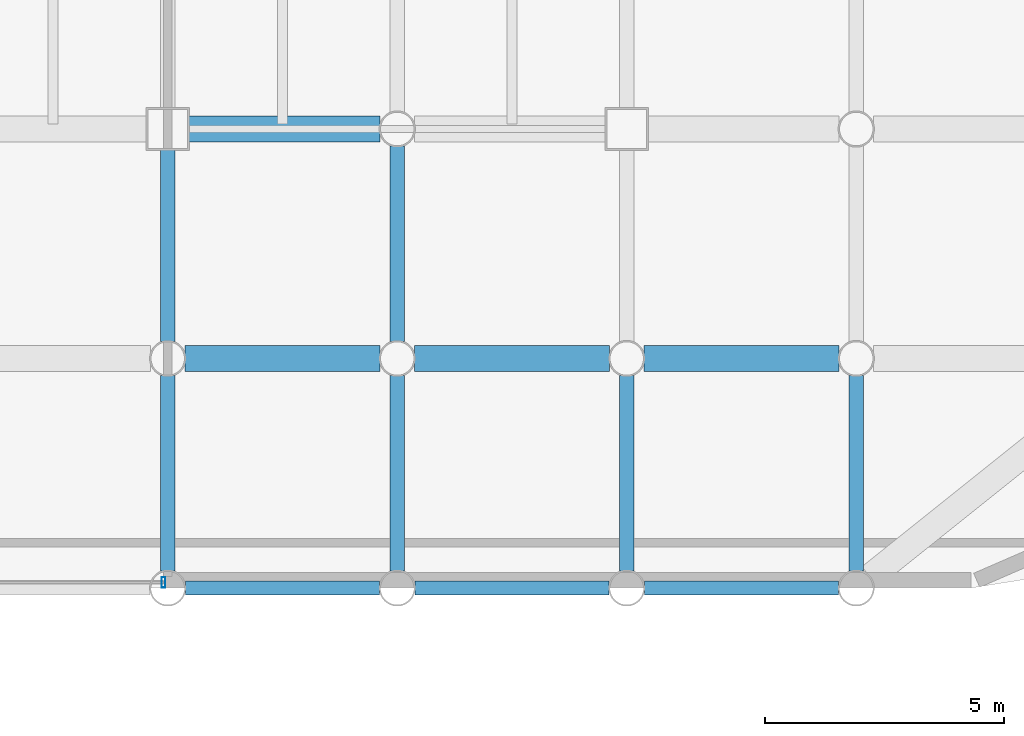
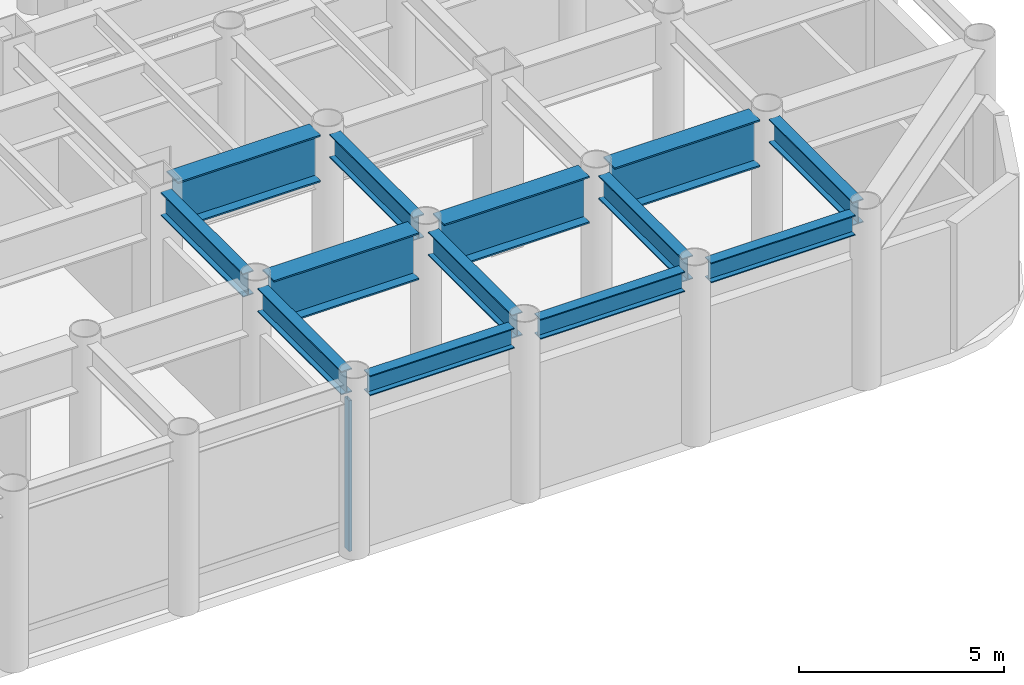
# One storey, part 6 of 17: 13 beams, 1 member, 1 element without a shape of its own.
"""IFC4 building model written with IfcOpenShell, lengths in metres."""

from ifc_helpers import new_model, si_unit, direction, frame, origin, origin_2d, place, context, subcontext, project, spatial, hollow_rectangle, i_section, extrude, material, layer, layer_set, material_profile, profile_set, type_object, element, aggregate, save


model = new_model("IFC4")

# Units and contexts
model_context = context("Model", 3, precision=1e-05, world=origin(), true_north=direction((0.0, 1.0)))
body_context = subcontext(model_context, "Body", "Model", "MODEL_VIEW")
ifc_project = project(units=[si_unit("LENGTHUNIT", "METRE"), si_unit("AREAUNIT", "SQUARE_METRE"), si_unit("VOLUMEUNIT", "CUBIC_METRE"), si_unit("PLANEANGLEUNIT", "RADIAN"), si_unit("MASSUNIT", "GRAM", prefix="KILO")], contexts=[model_context])

# Site, building, storey
site_placement = place(None, origin())
site = spatial("IfcSite", under=ifc_project, at=site_placement, CompositionType="ELEMENT")
building_placement = place(site_placement, origin())
building = spatial("IfcBuilding", under=site, at=building_placement, Name="Kallvorn Hotel Tower", CompositionType="ELEMENT")
storey_placement = place(building_placement, frame((0.0, 0.0, 19.199951171875)))
storey = spatial("IfcBuildingStorey", under=building, at=storey_placement, Name="L03", CompositionType="ELEMENT", Elevation=19.199951171875)

# Beams
ifc_material_1 = material(Name="Structural steel S355JR", Category="steel")
ifc_material_profile_1 = material_profile(ifc_material_1, i_section(OverallWidth=0.300048828125, OverallDepth=0.60009765625, WebThickness=0.015380859375, FlangeThickness=0.030029296875, at=origin_2d()), Name="HE 600 B")
ifc_profile_set_1 = profile_set([ifc_material_profile_1], Name="Structural steel S355JR")
beam_type_1 = type_object("IfcBeamType", Name="BM_HE600B", PredefinedType="SPANDREL", material=ifc_profile_set_1)
beam_1_placement = place(storey_placement, frame((14.77099609375, -24.0, 4.880126953125), z_axis=(1.0, 0.0, 0.0), x_axis=(0.0, 1.0, 0.0)))
element("IfcBeam", 1, at=beam_1_placement, inside=storey, type_object=beam_type_1, Name="L04 Perimeter Spandrel 181", PredefinedType="SPANDREL", context=body_context, shape_type="SweptSolid", body=[
    extrude(i_section(OverallWidth=0.300048828125, OverallDepth=0.60009765625, WebThickness=0.015380859375, FlangeThickness=0.030029296875, at=origin_2d()), origin(), (0.0, 0.0, 1.0), 4.05810546875),
])
for number, where, z_axis, x_axis, name in (
    (2, (19.571044921875, -24.0, 4.880126953125), (1.0, 0.0, 0.0), (0.0, 1.0, 0.0), "L04 Perimeter Spandrel 182"),
    (3, (24.37109375, -24.0, 4.880126953125), (1.0, 0.0, 0.0), (0.0, 1.0, 0.0), "L04 Perimeter Spandrel 183"),
):
    element("IfcBeam", number, at=place(storey_placement, frame(where, z_axis=z_axis, x_axis=x_axis)), inside=storey, type_object=beam_type_1, Name=name, PredefinedType="SPANDREL", context=body_context, shape_type="SweptSolid", body=[
        extrude(i_section(OverallWidth=0.300048828125, OverallDepth=0.60009765625, WebThickness=0.015380859375, FlangeThickness=0.030029296875, at=origin_2d()), origin(), (0.0, 0.0, 1.0), 4.057861328125),
    ])
ifc_material_2 = material(Name="Structural steel S355JR", Category="steel")
ifc_material_profile_2 = material_profile(ifc_material_2, i_section(OverallWidth=0.300048828125, OverallDepth=0.699951171875, WebThickness=0.01708984375, FlangeThickness=0.031982421875, at=origin_2d()), Name="HE 700 B")
ifc_profile_set_2 = profile_set([ifc_material_profile_2], Name="Structural steel S355JR")
beam_type_2 = type_object("IfcBeamType", Name="BM_HE700B", PredefinedType="BEAM", material=ifc_profile_set_2)
beam_2_placement = place(storey_placement, frame((14.39990234375, -23.64404296875, 4.830078125), z_axis=(0.0, 1.0, 0.0), x_axis=(-1.0, 0.0, 0.0)))
element("IfcBeam", 4, at=beam_2_placement, inside=storey, type_object=beam_type_2, Name="L04 Primary Y-Girder 138", PredefinedType="BEAM", context=body_context, shape_type="SweptSolid", body=[
    extrude(i_section(OverallWidth=0.300048828125, OverallDepth=0.699951171875, WebThickness=0.01708984375, FlangeThickness=0.031982421875, at=origin_2d()), origin(), (0.0, 0.0, 1.0), 4.088134765625),
])
beam_3_placement = place(storey_placement, frame((14.39990234375, -18.843994140625, 4.830078125), z_axis=(0.0, 1.0, 0.0), x_axis=(-1.0, 0.0, 0.0)))
element("IfcBeam", 5, at=beam_3_placement, inside=storey, type_object=beam_type_2, Name="L04 Primary Y-Girder 139", PredefinedType="BEAM", context=body_context, shape_type="SweptSolid", body=[
    extrude(i_section(OverallWidth=0.300048828125, OverallDepth=0.699951171875, WebThickness=0.01708984375, FlangeThickness=0.031982421875, at=origin_2d()), origin(), (0.0, 0.0, 1.0), 4.01904296875),
])
beam_4_placement = place(storey_placement, frame((19.199951171875, -23.64404296875, 4.830078125), z_axis=(0.0, 1.0, 0.0), x_axis=(-1.0, 0.0, 0.0)))
element("IfcBeam", 6, at=beam_4_placement, inside=storey, type_object=beam_type_2, Name="L04 Primary Y-Girder 144", PredefinedType="BEAM", context=body_context, shape_type="SweptSolid", body=[
    extrude(i_section(OverallWidth=0.300048828125, OverallDepth=0.699951171875, WebThickness=0.01708984375, FlangeThickness=0.031982421875, at=origin_2d()), origin(), (0.0, 0.0, 1.0), 4.088134765625),
])
beam_5_placement = place(storey_placement, frame((19.199951171875, -18.843994140625, 4.830078125), z_axis=(0.0, 1.0, 0.0), x_axis=(-1.0, 0.0, 0.0)))
element("IfcBeam", 7, at=beam_5_placement, inside=storey, type_object=beam_type_2, Name="L04 Primary Y-Girder 145", PredefinedType="BEAM", context=body_context, shape_type="SweptSolid", body=[
    extrude(i_section(OverallWidth=0.300048828125, OverallDepth=0.699951171875, WebThickness=0.01708984375, FlangeThickness=0.031982421875, at=origin_2d()), origin(), (0.0, 0.0, 1.0), 4.087890625),
])
for number, where, z_axis, x_axis, name in (
    (8, (24.0, -23.64404296875, 4.830078125), (0.0, 1.0, 0.0), (-1.0, 0.0, 0.0), "L04 Primary Y-Girder 154"),
    (9, (28.800048828125, -23.64404296875, 4.830078125), (0.0, 1.0, 0.0), (-1.0, 0.0, 0.0), "L04 Primary Y-Girder 162"),
):
    element("IfcBeam", number, at=place(storey_placement, frame(where, z_axis=z_axis, x_axis=x_axis)), inside=storey, type_object=beam_type_2, Name=name, PredefinedType="BEAM", context=body_context, shape_type="SweptSolid", body=[
        extrude(i_section(OverallWidth=0.300048828125, OverallDepth=0.699951171875, WebThickness=0.01708984375, FlangeThickness=0.031982421875, at=origin_2d()), origin(), (0.0, 0.0, 1.0), 4.088134765625),
    ])
ifc_material_3 = material(Name="Structural steel S355JR", Category="steel")
ifc_material_profile_3 = material_profile(ifc_material_3, i_section(OverallWidth=0.550048828125, OverallDepth=1.39990234375, WebThickness=0.02490234375, FlangeThickness=0.044921875, at=origin_2d()), Name="PG 1400x550x25x45")
ifc_profile_set_3 = profile_set([ifc_material_profile_3], Name="Structural steel S355JR")
beam_type_3 = type_object("IfcBeamType", Name="BM_PG_1400", PredefinedType="BEAM", material=ifc_profile_set_3)
beam_6_placement = place(storey_placement, frame((14.756103515625, -19.199951171875, 4.47998046875), z_axis=(1.0, 0.0, 0.0), x_axis=(0.0, 1.0, 0.0)))
element("IfcBeam", 10, at=beam_6_placement, inside=storey, type_object=beam_type_3, Name="L04 Primary X-Girder 11", PredefinedType="BEAM", context=body_context, shape_type="SweptSolid", body=[
    extrude(i_section(OverallWidth=0.550048828125, OverallDepth=1.39990234375, WebThickness=0.02490234375, FlangeThickness=0.044921875, at=origin_2d()), origin(), (0.0, 0.0, 1.0), 4.087890625),
])
for number, where, z_axis, x_axis, name in (
    (11, (19.555908203125, -19.199951171875, 4.47998046875), (1.0, 0.0, 0.0), (0.0, 1.0, 0.0), "L04 Primary X-Girder 12"),
    (12, (24.35595703125, -19.199951171875, 4.47998046875), (1.0, 0.0, 0.0), (0.0, 1.0, 0.0), "L04 Primary X-Girder 13"),
):
    element("IfcBeam", number, at=place(storey_placement, frame(where, z_axis=z_axis, x_axis=x_axis)), inside=storey, type_object=beam_type_3, Name=name, PredefinedType="BEAM", context=body_context, shape_type="SweptSolid", body=[
        extrude(i_section(OverallWidth=0.550048828125, OverallDepth=1.39990234375, WebThickness=0.02490234375, FlangeThickness=0.044921875, at=origin_2d()), origin(), (0.0, 0.0, 1.0), 4.088134765625),
    ])
beam_7_placement = place(storey_placement, frame((14.824951171875, -14.39990234375, 4.47998046875), z_axis=(1.0, 0.0, 0.0), x_axis=(0.0, 1.0, 0.0)))
element("IfcBeam", 13, at=beam_7_placement, inside=storey, type_object=beam_type_3, Name="L04 Primary X-Girder 22", PredefinedType="BEAM", context=body_context, shape_type="SweptSolid", body=[
    extrude(i_section(OverallWidth=0.550048828125, OverallDepth=1.39990234375, WebThickness=0.02490234375, FlangeThickness=0.044921875, at=origin_2d()), origin(), (0.0, 0.0, 1.0), 4.01904296875),
])

# Curtain wall, member
ifc_material_4 = material(Name="Thermally broken black-anodised aluminium AA 6063-T6", Category="aluminium")
ifc_layer = layer(ifc_material_4, 0.219970703125)
ifc_layer_set = layer_set([ifc_layer], Name="CW_SYS_2_PODIUM_CASC")
curtain_wall_type = type_object("IfcCurtainWallType", Name="CW_SYS_2_PODIUM_CASC", PredefinedType="USERDEFINED", material=ifc_layer_set)
curtain_wall_placement = place(storey_placement, origin())
curtain_wall = element("IfcCurtainWall", 14, at=curtain_wall_placement, inside=storey, type_object=curtain_wall_type, Name="L03 Dark-Glass Curtain Wall CW-L03-S3", ObjectType="UNITISED CURTAIN WALL", PredefinedType="USERDEFINED")
ifc_material_5 = material(Name="Thermally broken black-anodised aluminium AA 6063-T6", Category="aluminium")
ifc_material_profile_4 = material_profile(ifc_material_5, hollow_rectangle(XDim=0.080078125, YDim=0.219970703125, WallThickness=0.0048828125, at=origin_2d()), Name="MUL 220x80")
ifc_profile_set_4 = profile_set([ifc_material_profile_4], Name="Thermally broken black-anodised aluminium AA 6063-T6")
member_type = type_object("IfcMemberType", Name="CW_MULLION_220x80", PredefinedType="MULLION", material=ifc_profile_set_4)
member_placement = place(storey_placement, frame((14.31005859375, -23.8798828125, 0.02001953125), z_axis=(0.0, 0.0, 1.0), x_axis=(1.0, 0.0, 0.0)))
member = element("IfcMember", 15, at=member_placement, type_object=member_type, Name="CW-L03-S3 Mullion 01", PredefinedType="MULLION", context=body_context, shape_type="SweptSolid", body=[
    extrude(hollow_rectangle(XDim=0.080078125, YDim=0.219970703125, WallThickness=0.0048828125, at=origin_2d()), origin(), (0.0, 0.0, 1.0), 4.489990234375),
])
aggregate(curtain_wall, [member])

save(model, "model.ifc")
